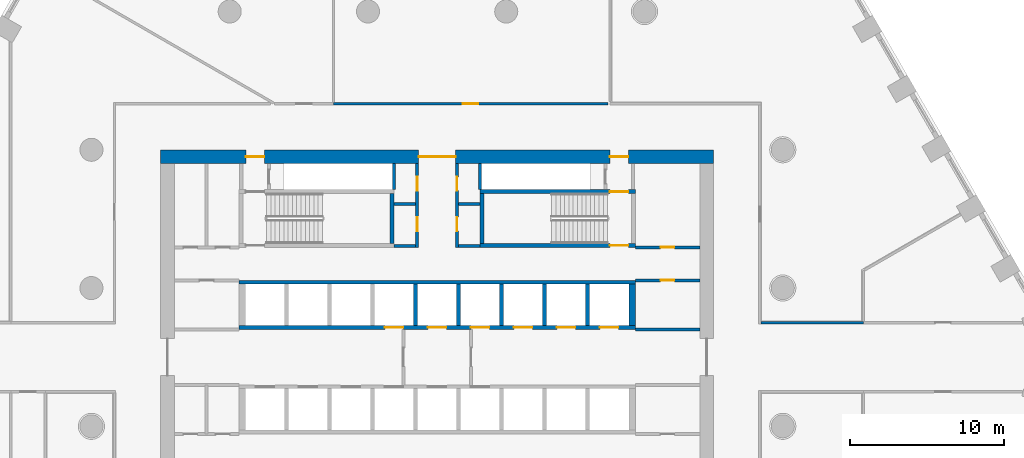
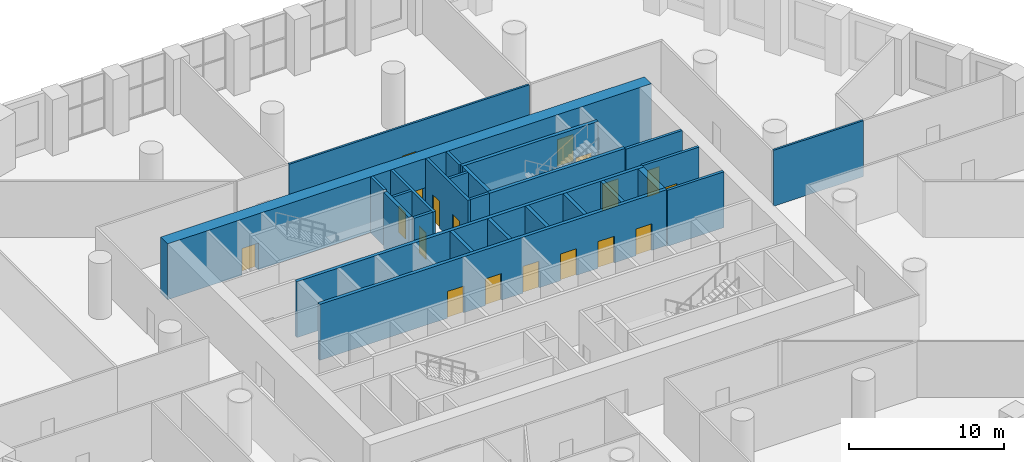
# One storey, part 11 of 21: 26 walls, 18 doors, 18 openings.
"""IFC4 building model written with IfcOpenShell, lengths in metres."""

from ifc_helpers import new_model, si_unit, direction, frame, frame_2d, origin, place, context, subcontext, project, spatial, polyline, rectangle, outline, extrude, material, layer, layer_set, type_object, element, fill, save


model = new_model("IFC4")

# Units and contexts
model_context = context("Model", 3, precision=1e-05, world=origin(), true_north=direction((0.0, 1.0)))
body_context = subcontext(model_context, "Body", "Model", "MODEL_VIEW")
ifc_project = project(units=[si_unit("LENGTHUNIT", "METRE"), si_unit("AREAUNIT", "SQUARE_METRE"), si_unit("VOLUMEUNIT", "CUBIC_METRE"), si_unit("PLANEANGLEUNIT", "RADIAN"), si_unit("MASSUNIT", "GRAM", prefix="KILO")], contexts=[model_context])

# Site, building, storey
site_placement = place(None, origin())
site = spatial("IfcSite", under=ifc_project, at=site_placement, CompositionType="ELEMENT")
building_placement = place(site_placement, origin())
building = spatial("IfcBuilding", under=site, at=building_placement, Name="Dhurran Vertical Campus", CompositionType="ELEMENT")
storey_placement = place(building_placement, frame((0.0, 0.0, 20.39990234375)))
storey = spatial("IfcBuildingStorey", under=building, at=storey_placement, Name="L04", CompositionType="ELEMENT", Elevation=20.39990234375)

# Wall, openings, doors
ifc_material_1 = material(Name="Concrete C60/75", Category="concrete")
ifc_layer_1 = layer(ifc_material_1, 0.89990234375)
ifc_layer_set_1 = layer_set([ifc_layer_1], Name="Concrete C60/75")
wall_type_1 = type_object("IfcWallType", Name="co-CORE-WALL-C0-900", PredefinedType="SHEAR", material=ifc_layer_set_1)
wall_1_placement = place(storey_placement, frame((-18.0, 13.050048828125, 0.0), z_axis=(0.0, 0.0, 1.0), x_axis=(1.0, 0.0, 0.0)))
wall_1 = element("IfcWall", 1, at=wall_1_placement, inside=storey, type_object=wall_type_1, Name="Core wall N L04", PredefinedType="SHEAR", context=body_context, shape_type="SweptSolid", body=[
    extrude(rectangle(XDim=36.0, YDim=0.89990234375, at=frame_2d((18.0, 0.0))), origin(), (0.0, 0.0, 1.0), 4.400146484375),
])
opening_1_placement = place(wall_1_placement, frame((16.800048828125, 0.0, 0.0)))
opening_1 = element("IfcOpeningElement", 2, at=opening_1_placement, cuts=wall_1, Name="Opening CV1", PredefinedType="OPENING", context=body_context, shape_type="SweptSolid", body=[
    extrude(rectangle(XDim=2.39990234375, YDim=2.10009765625, at=frame_2d((1.199951171875, 1.050048828125))), frame((0.0, 0.4599609375, 0.0), z_axis=(0.0, -1.0, 0.0), x_axis=(1.0, 0.0, 0.0)), (0.0, 0.0, 1.0), 0.919921875),
])
opening_2_placement = place(wall_1_placement, frame((5.550048828125, 0.0, 0.0)))
opening_2 = element("IfcOpeningElement", 3, at=opening_2_placement, cuts=wall_1, Name="Opening XD1", PredefinedType="OPENING", context=body_context, shape_type="SweptSolid", body=[
    extrude(rectangle(XDim=1.199951171875, YDim=2.10009765625, at=frame_2d((0.60009765625, 1.050048828125))), frame((0.0, 0.4599609375, 0.0), z_axis=(0.0, -1.0, 0.0), x_axis=(1.0, 0.0, 0.0)), (0.0, 0.0, 1.0), 0.919921875),
])
opening_3_placement = place(wall_1_placement, frame((29.25, 0.0, 0.0)))
opening_3 = element("IfcOpeningElement", 4, at=opening_3_placement, cuts=wall_1, Name="Opening XD2", PredefinedType="OPENING", context=body_context, shape_type="SweptSolid", body=[
    extrude(rectangle(XDim=1.199951171875, YDim=2.10009765625, at=frame_2d((0.60009765625, 1.050048828125))), frame((0.0, 0.4599609375, 0.0), z_axis=(0.0, -1.0, 0.0), x_axis=(1.0, 0.0, 0.0)), (0.0, 0.0, 1.0), 0.919921875),
])
ifc_material_2 = material(Name="Fire-rated glazed door set")
door_type_1 = type_object("IfcDoorType", Name="co-D-LOBBY 2400x2100", OperationType="DOUBLE_DOOR_DOUBLE_SWING", PredefinedType="DOOR", material=ifc_material_2)
door_1_placement = place(opening_1_placement, origin())
door_1 = element("IfcDoor", 5, at=door_1_placement, inside=storey, type_object=door_type_1, Name="Core vestibule door N L04", OperationType="DOUBLE_DOOR_DOUBLE_SWING", OverallHeight=2.10009765625, OverallWidth=2.39990234375, PredefinedType="DOOR", context=body_context, shape_type="SweptSolid", body=[
    extrude(rectangle(XDim=2.39990234375, YDim=2.10009765625, at=frame_2d((1.199951171875, 1.050048828125))), frame((0.0, 0.02490234375, 0.0), z_axis=(0.0, -1.0, 0.0), x_axis=(1.0, 0.0, 0.0)), (0.0, 0.0, 1.0), 0.050048828125),
])
fill(opening_1, door_1)
ifc_material_3 = material(Name="Fire-rated steel door set", Category="steel")
door_type_2 = type_object("IfcDoorType", Name="co-D-STAIR-EXIT 1200x2100", OperationType="SINGLE_SWING_RIGHT", PredefinedType="DOOR", material=ifc_material_3)
door_2_placement = place(opening_2_placement, origin())
door_2 = element("IfcDoor", 6, at=door_2_placement, inside=storey, type_object=door_type_2, Name="Stair ST1 exit door L04", OperationType="SINGLE_SWING_RIGHT", OverallHeight=2.10009765625, OverallWidth=1.199951171875, PredefinedType="DOOR", context=body_context, shape_type="SweptSolid", body=[
    extrude(rectangle(XDim=1.199951171875, YDim=2.10009765625, at=frame_2d((0.60009765625, 1.050048828125))), frame((0.0, 0.02490234375, 0.0), z_axis=(0.0, -1.0, 0.0), x_axis=(1.0, 0.0, 0.0)), (0.0, 0.0, 1.0), 0.050048828125),
])
fill(opening_2, door_2)
door_3_placement = place(opening_3_placement, origin())
door_3 = element("IfcDoor", 7, at=door_3_placement, inside=storey, type_object=door_type_2, Name="Stair ST2 exit door L04", OperationType="SINGLE_SWING_RIGHT", OverallHeight=2.10009765625, OverallWidth=1.199951171875, PredefinedType="DOOR", context=body_context, shape_type="SweptSolid", body=[
    extrude(rectangle(XDim=1.199951171875, YDim=2.10009765625, at=frame_2d((0.60009765625, 1.050048828125))), frame((0.0, 0.02490234375, 0.0), z_axis=(0.0, -1.0, 0.0), x_axis=(1.0, 0.0, 0.0)), (0.0, 0.0, 1.0), 0.050048828125),
])
fill(opening_3, door_3)

# Walls
ifc_material_4 = material(Name="Fire-rated masonry blockwork", Category="masonry")
ifc_layer_2 = layer(ifc_material_4, 0.199951171875)
ifc_layer_set_2 = layer_set([ifc_layer_2], Name="Fire-rated masonry blockwork")
wall_type_2 = type_object("IfcWallType", Name="co-FIRE-PARTITION-200", PredefinedType="PARTITIONING", material=ifc_layer_set_2)
for number, where, z_axis, x_axis, name in (
    (8, (-2.800048828125, 7.25, 0.0), (0.0, 0.0, 1.0), (1.0, 0.0, 0.0), "Core partition sl-NW-S L04"),
    (9, (-2.800048828125, 9.97509765625, 0.0), (0.0, 0.0, 1.0), (1.0, 0.0, 0.0), "Core partition sl-NW-cut0 L04"),
    (10, (1.39990234375, 7.25, 0.0), (0.0, 0.0, 1.0), (1.0, 0.0, 0.0), "Core partition sl-NE-S L04"),
    (11, (1.39990234375, 9.97509765625, 0.0), (0.0, 0.0, 1.0), (1.0, 0.0, 0.0), "Core partition sl-NE-cut0 L04"),
):
    element("IfcWall", number, at=place(storey_placement, frame(where, z_axis=z_axis, x_axis=x_axis)), inside=storey, type_object=wall_type_2, Name=name, PredefinedType="PARTITIONING", context=body_context, shape_type="SweptSolid", body=[
        extrude(rectangle(XDim=1.400146484375, YDim=0.199951171875, at=frame_2d((0.7001953125, 0.0))), origin(), (0.0, 0.0, 1.0), 4.400146484375),
    ])

# Wall, openings, doors
wall_2_placement = place(storey_placement, frame((-1.300048828125, 7.14990234375, 0.0), z_axis=(0.0, 0.0, 1.0), x_axis=(0.0, 1.0, 0.0)))
wall_2 = element("IfcWall", 12, at=wall_2_placement, inside=storey, type_object=wall_type_2, Name="Core partition vest-NW L04", PredefinedType="PARTITIONING", context=body_context, shape_type="SweptSolid", body=[
    extrude(rectangle(XDim=5.4501953125, YDim=0.199951171875, at=frame_2d((2.72509765625, 0.0))), origin(), (0.0, 0.0, 1.0), 4.400146484375),
])
opening_4_placement = place(wall_2_placement, frame((1.0625, 0.0, 0.0)))
opening_4 = element("IfcOpeningElement", 13, at=opening_4_placement, cuts=wall_2, Name="Opening PD04-C5", PredefinedType="OPENING", context=body_context, shape_type="SweptSolid", body=[
    extrude(rectangle(XDim=0.89990234375, YDim=2.10009765625, at=frame_2d((0.449951171875, 1.050048828125))), frame((0.0, 0.10986328125, 0.0), z_axis=(0.0, -1.0, 0.0), x_axis=(1.0, 0.0, 0.0)), (0.0, 0.0, 1.0), 0.219970703125),
])
opening_5_placement = place(wall_2_placement, frame((3.6875, 0.0, 0.0)))
opening_5 = element("IfcOpeningElement", 14, at=opening_5_placement, cuts=wall_2, Name="Opening PD04-C6", PredefinedType="OPENING", context=body_context, shape_type="SweptSolid", body=[
    extrude(rectangle(XDim=0.89990234375, YDim=2.10009765625, at=frame_2d((0.449951171875, 1.050048828125))), frame((0.0, 0.10986328125, 0.0), z_axis=(0.0, -1.0, 0.0), x_axis=(1.0, 0.0, 0.0)), (0.0, 0.0, 1.0), 0.219970703125),
])
ifc_material_5 = material(Name="Fire-rated timber door set", Category="wood")
door_type_3 = type_object("IfcDoorType", Name="co-D-ROOM 900x2100", OperationType="SINGLE_SWING_LEFT", PredefinedType="DOOR", material=ifc_material_5)
door_4_placement = place(opening_4_placement, origin())
door_4 = element("IfcDoor", 15, at=door_4_placement, inside=storey, type_object=door_type_3, Name="Communications room door L04", OperationType="SINGLE_SWING_LEFT", OverallHeight=2.10009765625, OverallWidth=0.89990234375, PredefinedType="DOOR", context=body_context, shape_type="SweptSolid", body=[
    extrude(rectangle(XDim=0.89990234375, YDim=2.10009765625, at=frame_2d((0.449951171875, 1.050048828125))), frame((0.0, 0.02490234375, 0.0), z_axis=(0.0, -1.0, 0.0), x_axis=(1.0, 0.0, 0.0)), (0.0, 0.0, 1.0), 0.050048828125),
])
fill(opening_4, door_4)
door_5_placement = place(opening_5_placement, origin())
door_5 = element("IfcDoor", 16, at=door_5_placement, inside=storey, type_object=door_type_3, Name="Server room door L04", OperationType="SINGLE_SWING_LEFT", OverallHeight=2.10009765625, OverallWidth=0.89990234375, PredefinedType="DOOR", context=body_context, shape_type="SweptSolid", body=[
    extrude(rectangle(XDim=0.89990234375, YDim=2.10009765625, at=frame_2d((0.449951171875, 1.050048828125))), frame((0.0, 0.02490234375, 0.0), z_axis=(0.0, -1.0, 0.0), x_axis=(1.0, 0.0, 0.0)), (0.0, 0.0, 1.0), 0.050048828125),
])
fill(opening_5, door_5)

wall_3_placement = place(storey_placement, frame((1.300048828125, 7.14990234375, 0.0), z_axis=(0.0, 0.0, 1.0), x_axis=(0.0, 1.0, 0.0)))
wall_3 = element("IfcWall", 17, at=wall_3_placement, inside=storey, type_object=wall_type_2, Name="Core partition vest-NE L04", PredefinedType="PARTITIONING", context=body_context, shape_type="SweptSolid", body=[
    extrude(rectangle(XDim=5.4501953125, YDim=0.199951171875, at=frame_2d((2.72509765625, 0.0))), origin(), (0.0, 0.0, 1.0), 4.400146484375),
])
opening_6_placement = place(wall_3_placement, frame((1.0625, 0.0, 0.0)))
opening_6 = element("IfcOpeningElement", 18, at=opening_6_placement, cuts=wall_3, Name="Opening PD04-C7", PredefinedType="OPENING", context=body_context, shape_type="SweptSolid", body=[
    extrude(rectangle(XDim=0.89990234375, YDim=2.10009765625, at=frame_2d((0.449951171875, 1.050048828125))), frame((0.0, 0.10986328125, 0.0), z_axis=(0.0, -1.0, 0.0), x_axis=(1.0, 0.0, 0.0)), (0.0, 0.0, 1.0), 0.219970703125),
])
opening_7_placement = place(wall_3_placement, frame((3.6875, 0.0, 0.0)))
opening_7 = element("IfcOpeningElement", 19, at=opening_7_placement, cuts=wall_3, Name="Opening PD04-C8", PredefinedType="OPENING", context=body_context, shape_type="SweptSolid", body=[
    extrude(rectangle(XDim=0.89990234375, YDim=2.10009765625, at=frame_2d((0.449951171875, 1.050048828125))), frame((0.0, 0.10986328125, 0.0), z_axis=(0.0, -1.0, 0.0), x_axis=(1.0, 0.0, 0.0)), (0.0, 0.0, 1.0), 0.219970703125),
])
door_6_placement = place(opening_6_placement, origin())
door_6 = element("IfcDoor", 20, at=door_6_placement, inside=storey, type_object=door_type_3, Name="Water riser door L04", OperationType="SINGLE_SWING_LEFT", OverallHeight=2.10009765625, OverallWidth=0.89990234375, PredefinedType="DOOR", context=body_context, shape_type="SweptSolid", body=[
    extrude(rectangle(XDim=0.89990234375, YDim=2.10009765625, at=frame_2d((0.449951171875, 1.050048828125))), frame((0.0, 0.02490234375, 0.0), z_axis=(0.0, -1.0, 0.0), x_axis=(1.0, 0.0, 0.0)), (0.0, 0.0, 1.0), 0.050048828125),
])
fill(opening_6, door_6)
door_7_placement = place(opening_7_placement, origin())
door_7 = element("IfcDoor", 21, at=door_7_placement, inside=storey, type_object=door_type_3, Name="Print room door L04", OperationType="SINGLE_SWING_LEFT", OverallHeight=2.10009765625, OverallWidth=0.89990234375, PredefinedType="DOOR", context=body_context, shape_type="SweptSolid", body=[
    extrude(rectangle(XDim=0.89990234375, YDim=2.10009765625, at=frame_2d((0.449951171875, 1.050048828125))), frame((0.0, 0.02490234375, 0.0), z_axis=(0.0, -1.0, 0.0), x_axis=(1.0, 0.0, 0.0)), (0.0, 0.0, 1.0), 0.050048828125),
])
fill(opening_7, door_7)

# Wall, opening, door
wall_4_placement = place(storey_placement, frame((12.89990234375, 7.14990234375, 0.0), z_axis=(0.0, 0.0, 1.0), x_axis=(1.0, 0.0, 0.0)))
wall_4 = element("IfcWall", 22, at=wall_4_placement, inside=storey, type_object=wall_type_2, Name="Core partition en-NE-w L04", PredefinedType="PARTITIONING", context=body_context, shape_type="SweptSolid", body=[
    extrude(rectangle(XDim=4.2001953125, YDim=0.199951171875, at=frame_2d((2.10009765625, 0.0))), origin(), (0.0, 0.0, 1.0), 4.400146484375),
])
opening_8_placement = place(wall_4_placement, frame((1.64990234375, 0.0, 0.0)))
opening_8 = element("IfcOpeningElement", 23, at=opening_8_placement, cuts=wall_4, Name="Opening PD04-C16", PredefinedType="OPENING", context=body_context, shape_type="SweptSolid", body=[
    extrude(rectangle(XDim=0.89990234375, YDim=2.10009765625, at=frame_2d((0.449951171875, 1.050048828125))), frame((0.0, 0.10986328125, 0.0), z_axis=(0.0, -1.0, 0.0), x_axis=(1.0, 0.0, 0.0)), (0.0, 0.0, 1.0), 0.219970703125),
])
door_8_placement = place(opening_8_placement, origin())
door_8 = element("IfcDoor", 24, at=door_8_placement, inside=storey, type_object=door_type_3, Name="Fire equipment store door L04", OperationType="SINGLE_SWING_LEFT", OverallHeight=2.10009765625, OverallWidth=0.89990234375, PredefinedType="DOOR", context=body_context, shape_type="SweptSolid", body=[
    extrude(rectangle(XDim=0.89990234375, YDim=2.10009765625, at=frame_2d((0.449951171875, 1.050048828125))), frame((0.0, 0.02490234375, 0.0), z_axis=(0.0, -1.0, 0.0), x_axis=(1.0, 0.0, 0.0)), (0.0, 0.0, 1.0), 0.050048828125),
])
fill(opening_8, door_8)

wall_5_placement = place(storey_placement, frame((12.89990234375, 5.0, 0.0), z_axis=(0.0, 0.0, 1.0), x_axis=(1.0, 0.0, 0.0)))
wall_5 = element("IfcWall", 25, at=wall_5_placement, inside=storey, type_object=wall_type_2, Name="Core partition es-NE-w L04", PredefinedType="PARTITIONING", context=body_context, shape_type="SweptSolid", body=[
    extrude(rectangle(XDim=4.2001953125, YDim=0.199951171875, at=frame_2d((2.10009765625, 0.0))), origin(), (0.0, 0.0, 1.0), 4.400146484375),
])
opening_9_placement = place(wall_5_placement, frame((1.64990234375, 0.0, 0.0)))
opening_9 = element("IfcOpeningElement", 26, at=opening_9_placement, cuts=wall_5, Name="Opening PD04-C17", PredefinedType="OPENING", context=body_context, shape_type="SweptSolid", body=[
    extrude(rectangle(XDim=0.89990234375, YDim=2.10009765625, at=frame_2d((0.449951171875, 1.050048828125))), frame((0.0, 0.10986328125, 0.0), z_axis=(0.0, -1.0, 0.0), x_axis=(1.0, 0.0, 0.0)), (0.0, 0.0, 1.0), 0.219970703125),
])
door_9_placement = place(opening_9_placement, origin())
door_9 = element("IfcDoor", 27, at=door_9_placement, inside=storey, type_object=door_type_3, Name="Communications room door L04", OperationType="SINGLE_SWING_LEFT", OverallHeight=2.10009765625, OverallWidth=0.89990234375, PredefinedType="DOOR", context=body_context, shape_type="SweptSolid", body=[
    extrude(rectangle(XDim=0.89990234375, YDim=2.10009765625, at=frame_2d((0.449951171875, 1.050048828125))), frame((0.0, 0.02490234375, 0.0), z_axis=(0.0, -1.0, 0.0), x_axis=(1.0, 0.0, 0.0)), (0.0, 0.0, 1.0), 0.050048828125),
])
fill(opening_9, door_9)

# Walls
wall_6_placement = place(storey_placement, frame((12.89990234375, 1.800048828125, 0.0), z_axis=(0.0, 0.0, 1.0), x_axis=(1.0, 0.0, 0.0)))
element("IfcWall", 28, at=wall_6_placement, inside=storey, type_object=wall_type_2, Name="Core partition es-NE-l L04", PredefinedType="PARTITIONING", context=body_context, shape_type="SweptSolid", body=[
    extrude(rectangle(XDim=4.2001953125, YDim=0.199951171875, at=frame_2d((2.10009765625, 0.0))), origin(), (0.0, 0.0, 1.0), 4.400146484375),
])
for number, where, z_axis, x_axis, name in (
    (29, (-2.800048828125, 10.90087890625, 0.0), (0.0, 0.0, 1.0), (0.0, 1.0, 0.0), "Riser enclosure wall L04"),
    (30, (2.800048828125, 12.59912109375, 0.0), (0.0, 0.0, 1.0), (0.0, -1.0, 0.0), "Riser enclosure wall L04"),
):
    element("IfcWall", number, at=place(storey_placement, frame(where, z_axis=z_axis, x_axis=x_axis)), inside=storey, type_object=wall_type_2, Name=name, PredefinedType="PARTITIONING", context=body_context, shape_type="SweptSolid", body=[
        extrude(rectangle(XDim=1.6982421875, YDim=0.199951171875, at=frame_2d((0.84912109375, 0.0))), origin(), (0.0, 0.0, 1.0), 4.400146484375),
    ])

# Wall, openings, doors
ifc_material_6 = material(Name="Concrete C50/60", Category="concrete")
ifc_layer_3 = layer(ifc_material_6, 0.25)
ifc_layer_set_3 = layer_set([ifc_layer_3], Name="Concrete C50/60")
wall_type_3 = type_object("IfcWallType", Name="co-SHAFT-FRONT-250", PredefinedType="SHEAR", material=ifc_layer_set_3)
wall_7_placement = place(storey_placement, frame((-12.89990234375, 1.925048828125, 0.0), z_axis=(0.0, 0.0, 1.0), x_axis=(1.0, 0.0, 0.0)))
wall_7 = element("IfcWall", 31, at=wall_7_placement, inside=storey, type_object=wall_type_3, Name="Lift landing wall N L04", PredefinedType="SHEAR", context=body_context, shape_type="SweptSolid", body=[
    extrude(rectangle(XDim=25.7998046875, YDim=0.25, at=frame_2d((12.89990234375, 0.0))), origin(), (0.0, 0.0, 1.0), 4.400146484375),
])
opening_10_placement = place(wall_7_placement, frame((9.5, 0.0, 0.0)))
opening_10 = element("IfcOpeningElement", 32, at=opening_10_placement, cuts=wall_7, Name="Opening LD", PredefinedType="OPENING", context=body_context, shape_type="SweptSolid", body=[
    extrude(rectangle(XDim=1.199951171875, YDim=2.10009765625, at=frame_2d((0.60009765625, 1.050048828125))), frame((0.0, 0.135009765625, 0.0), z_axis=(0.0, -1.0, 0.0), x_axis=(1.0, 0.0, 0.0)), (0.0, 0.0, 1.0), 0.27001953125),
])
opening_11_placement = place(wall_7_placement, frame((12.300048828125, 0.0, 0.0)))
opening_11 = element("IfcOpeningElement", 33, at=opening_11_placement, cuts=wall_7, Name="Opening LD", PredefinedType="OPENING", context=body_context, shape_type="SweptSolid", body=[
    extrude(rectangle(XDim=1.199951171875, YDim=2.10009765625, at=frame_2d((0.60009765625, 1.050048828125))), frame((0.0, 0.135009765625, 0.0), z_axis=(0.0, -1.0, 0.0), x_axis=(1.0, 0.0, 0.0)), (0.0, 0.0, 1.0), 0.27001953125),
])
opening_12_placement = place(wall_7_placement, frame((15.10009765625, 0.0, 0.0)))
opening_12 = element("IfcOpeningElement", 34, at=opening_12_placement, cuts=wall_7, Name="Opening LD", PredefinedType="OPENING", context=body_context, shape_type="SweptSolid", body=[
    extrude(rectangle(XDim=1.199951171875, YDim=2.10009765625, at=frame_2d((0.60009765625, 1.050048828125))), frame((0.0, 0.135009765625, 0.0), z_axis=(0.0, -1.0, 0.0), x_axis=(1.0, 0.0, 0.0)), (0.0, 0.0, 1.0), 0.27001953125),
])
opening_13_placement = place(wall_7_placement, frame((17.89990234375, 0.0, 0.0)))
opening_13 = element("IfcOpeningElement", 35, at=opening_13_placement, cuts=wall_7, Name="Opening LD", PredefinedType="OPENING", context=body_context, shape_type="SweptSolid", body=[
    extrude(rectangle(XDim=1.199951171875, YDim=2.10009765625, at=frame_2d((0.60009765625, 1.050048828125))), frame((0.0, 0.135009765625, 0.0), z_axis=(0.0, -1.0, 0.0), x_axis=(1.0, 0.0, 0.0)), (0.0, 0.0, 1.0), 0.27001953125),
])
opening_14_placement = place(wall_7_placement, frame((20.699951171875, 0.0, 0.0)))
opening_14 = element("IfcOpeningElement", 36, at=opening_14_placement, cuts=wall_7, Name="Opening LD", PredefinedType="OPENING", context=body_context, shape_type="SweptSolid", body=[
    extrude(rectangle(XDim=1.199951171875, YDim=2.10009765625, at=frame_2d((0.60009765625, 1.050048828125))), frame((0.0, 0.135009765625, 0.0), z_axis=(0.0, -1.0, 0.0), x_axis=(1.0, 0.0, 0.0)), (0.0, 0.0, 1.0), 0.27001953125),
])
opening_15_placement = place(wall_7_placement, frame((23.5, 0.0, 0.0)))
opening_15 = element("IfcOpeningElement", 37, at=opening_15_placement, cuts=wall_7, Name="Opening LD", PredefinedType="OPENING", context=body_context, shape_type="SweptSolid", body=[
    extrude(rectangle(XDim=1.199951171875, YDim=2.10009765625, at=frame_2d((0.60009765625, 1.050048828125))), frame((0.0, 0.135009765625, 0.0), z_axis=(0.0, -1.0, 0.0), x_axis=(1.0, 0.0, 0.0)), (0.0, 0.0, 1.0), 0.27001953125),
])
ifc_material_7 = material(Name="Stainless steel landing door", Category="steel")
door_type_4 = type_object("IfcDoorType", Name="co-D-LANDING 1200x2100", OperationType="DOUBLE_DOOR_SLIDING", PredefinedType="DOOR", material=ifc_material_7)
door_10_placement = place(opening_10_placement, origin())
door_10 = element("IfcDoor", 38, at=door_10_placement, inside=storey, type_object=door_type_4, Name="Landing door LR1 L04", OperationType="DOUBLE_DOOR_SLIDING", OverallHeight=2.10009765625, OverallWidth=1.199951171875, PredefinedType="DOOR", context=body_context, shape_type="SweptSolid", body=[
    extrude(rectangle(XDim=1.199951171875, YDim=2.10009765625, at=frame_2d((0.60009765625, 1.050048828125))), frame((0.0, 0.02490234375, 0.0), z_axis=(0.0, -1.0, 0.0), x_axis=(1.0, 0.0, 0.0)), (0.0, 0.0, 1.0), 0.050048828125),
])
fill(opening_10, door_10)
door_11_placement = place(opening_11_placement, origin())
door_11 = element("IfcDoor", 39, at=door_11_placement, inside=storey, type_object=door_type_4, Name="Landing door FF1 L04", OperationType="DOUBLE_DOOR_SLIDING", OverallHeight=2.10009765625, OverallWidth=1.199951171875, PredefinedType="DOOR", context=body_context, shape_type="SweptSolid", body=[
    extrude(rectangle(XDim=1.199951171875, YDim=2.10009765625, at=frame_2d((0.60009765625, 1.050048828125))), frame((0.0, 0.02490234375, 0.0), z_axis=(0.0, -1.0, 0.0), x_axis=(1.0, 0.0, 0.0)), (0.0, 0.0, 1.0), 0.050048828125),
])
fill(opening_11, door_11)
door_12_placement = place(opening_12_placement, origin())
door_12 = element("IfcDoor", 40, at=door_12_placement, inside=storey, type_object=door_type_4, Name="Landing door LR2 L04", OperationType="DOUBLE_DOOR_SLIDING", OverallHeight=2.10009765625, OverallWidth=1.199951171875, PredefinedType="DOOR", context=body_context, shape_type="SweptSolid", body=[
    extrude(rectangle(XDim=1.199951171875, YDim=2.10009765625, at=frame_2d((0.60009765625, 1.050048828125))), frame((0.0, 0.02490234375, 0.0), z_axis=(0.0, -1.0, 0.0), x_axis=(1.0, 0.0, 0.0)), (0.0, 0.0, 1.0), 0.050048828125),
])
fill(opening_12, door_12)
door_13_placement = place(opening_13_placement, origin())
door_13 = element("IfcDoor", 41, at=door_13_placement, inside=storey, type_object=door_type_4, Name="Landing door LR3 L04", OperationType="DOUBLE_DOOR_SLIDING", OverallHeight=2.10009765625, OverallWidth=1.199951171875, PredefinedType="DOOR", context=body_context, shape_type="SweptSolid", body=[
    extrude(rectangle(XDim=1.199951171875, YDim=2.10009765625, at=frame_2d((0.60009765625, 1.050048828125))), frame((0.0, 0.02490234375, 0.0), z_axis=(0.0, -1.0, 0.0), x_axis=(1.0, 0.0, 0.0)), (0.0, 0.0, 1.0), 0.050048828125),
])
fill(opening_13, door_13)
door_14_placement = place(opening_14_placement, origin())
door_14 = element("IfcDoor", 42, at=door_14_placement, inside=storey, type_object=door_type_4, Name="Landing door LR4 L04", OperationType="DOUBLE_DOOR_SLIDING", OverallHeight=2.10009765625, OverallWidth=1.199951171875, PredefinedType="DOOR", context=body_context, shape_type="SweptSolid", body=[
    extrude(rectangle(XDim=1.199951171875, YDim=2.10009765625, at=frame_2d((0.60009765625, 1.050048828125))), frame((0.0, 0.02490234375, 0.0), z_axis=(0.0, -1.0, 0.0), x_axis=(1.0, 0.0, 0.0)), (0.0, 0.0, 1.0), 0.050048828125),
])
fill(opening_14, door_14)
door_15_placement = place(opening_15_placement, origin())
door_15 = element("IfcDoor", 43, at=door_15_placement, inside=storey, type_object=door_type_4, Name="Landing door SV2 L04", OperationType="DOUBLE_DOOR_SLIDING", OverallHeight=2.10009765625, OverallWidth=1.199951171875, PredefinedType="DOOR", context=body_context, shape_type="SweptSolid", body=[
    extrude(rectangle(XDim=1.199951171875, YDim=2.10009765625, at=frame_2d((0.60009765625, 1.050048828125))), frame((0.0, 0.02490234375, 0.0), z_axis=(0.0, -1.0, 0.0), x_axis=(1.0, 0.0, 0.0)), (0.0, 0.0, 1.0), 0.050048828125),
])
fill(opening_15, door_15)

# Walls
ifc_material_8 = material(Name="Concrete C50/60", Category="concrete")
ifc_layer_4 = layer(ifc_material_8, 0.25)
ifc_layer_set_4 = layer_set([ifc_layer_4], Name="Concrete C50/60")
wall_type_4 = type_object("IfcWallType", Name="co-SHAFT-MASS-250", PredefinedType="SHEAR", material=ifc_layer_set_4)
wall_8_placement = place(storey_placement, origin())
element("IfcWall", 44, at=wall_8_placement, inside=storey, type_object=wall_type_4, Name="Lift shaft wall N L04 1", PredefinedType="SHEAR", context=body_context, shape_type="SweptSolid", body=[
    extrude(outline(polyline([(-12.89990234375, 4.75), (12.89990234375, 4.75), (12.89990234375, 5.0), (-12.89990234375, 5.0), (-12.89990234375, 4.75)])), origin(), (0.0, 0.0, 1.0), 4.400146484375),
])
wall_9_placement = place(storey_placement, origin())
element("IfcWall", 45, at=wall_9_placement, inside=storey, type_object=wall_type_4, Name="Lift shaft wall N L04 6", PredefinedType="SHEAR", context=body_context, shape_type="SweptSolid", body=[
    extrude(outline(polyline([(-1.52490234375, 2.050048828125), (-1.27490234375, 2.050048828125), (-1.27490234375, 4.75), (-1.52490234375, 4.75), (-1.52490234375, 2.050048828125)])), origin(), (0.0, 0.0, 1.0), 4.400146484375),
])
wall_10_placement = place(storey_placement, origin())
element("IfcWall", 46, at=wall_10_placement, inside=storey, type_object=wall_type_4, Name="Lift shaft wall N L04 7", PredefinedType="SHEAR", context=body_context, shape_type="SweptSolid", body=[
    extrude(outline(polyline([(1.27490234375, 2.050048828125), (1.52490234375, 2.050048828125), (1.52490234375, 4.75), (1.27490234375, 4.75), (1.27490234375, 2.050048828125)])), origin(), (0.0, 0.0, 1.0), 4.400146484375),
])
wall_11_placement = place(storey_placement, origin())
element("IfcWall", 47, at=wall_11_placement, inside=storey, type_object=wall_type_4, Name="Lift shaft wall N L04 8", PredefinedType="SHEAR", context=body_context, shape_type="SweptSolid", body=[
    extrude(outline(polyline([(4.074951171875, 2.050048828125), (4.324951171875, 2.050048828125), (4.324951171875, 4.75), (4.074951171875, 4.75), (4.074951171875, 2.050048828125)])), origin(), (0.0, 0.0, 1.0), 4.400146484375),
])
wall_12_placement = place(storey_placement, origin())
element("IfcWall", 48, at=wall_12_placement, inside=storey, type_object=wall_type_4, Name="Lift shaft wall N L04 9", PredefinedType="SHEAR", context=body_context, shape_type="SweptSolid", body=[
    extrude(outline(polyline([(6.875, 2.050048828125), (7.125, 2.050048828125), (7.125, 4.75), (6.875, 4.75), (6.875, 2.050048828125)])), origin(), (0.0, 0.0, 1.0), 4.400146484375),
])
wall_13_placement = place(storey_placement, origin())
element("IfcWall", 49, at=wall_13_placement, inside=storey, type_object=wall_type_4, Name="Lift shaft wall N L04 10", PredefinedType="SHEAR", context=body_context, shape_type="SweptSolid", body=[
    extrude(outline(polyline([(9.675048828125, 2.050048828125), (9.925048828125, 2.050048828125), (9.925048828125, 4.75), (9.675048828125, 4.75), (9.675048828125, 2.050048828125)])), origin(), (0.0, 0.0, 1.0), 4.400146484375),
])
wall_14_placement = place(storey_placement, origin())
element("IfcWall", 50, at=wall_14_placement, inside=storey, type_object=wall_type_4, Name="Lift shaft wall N L04 11", PredefinedType="SHEAR", context=body_context, shape_type="SweptSolid", body=[
    extrude(outline(polyline([(12.47509765625, 2.050048828125), (12.89990234375, 2.050048828125), (12.89990234375, 4.75), (12.47509765625, 4.75), (12.47509765625, 2.050048828125)])), origin(), (0.0, 0.0, 1.0), 4.400146484375),
])
ifc_material_9 = material(Name="Concrete C40/50", Category="concrete")
ifc_layer_5 = layer(ifc_material_9, 0.25)
ifc_layer_set_5 = layer_set([ifc_layer_5], Name="Concrete C40/50")
wall_type_5 = type_object("IfcWallType", Name="co-STAIR-WALL-250", PredefinedType="SHEAR", material=ifc_layer_set_5)
wall_15_placement = place(storey_placement, frame((-2.925048828125, 7.39990234375, 0.0), z_axis=(0.0, 0.0, 1.0), x_axis=(0.0, 1.0, 0.0)))
element("IfcWall", 51, at=wall_15_placement, inside=storey, type_object=wall_type_5, Name="Stair ST1 enclosure wall L04", PredefinedType="SHEAR", context=body_context, shape_type="SweptSolid", body=[
    extrude(rectangle(XDim=3.25, YDim=0.25, at=frame_2d((1.625, 0.0))), origin(), (0.0, 0.0, 1.0), 4.400146484375),
])

# Wall, opening, door
wall_16_placement = place(storey_placement, frame((2.800048828125, 7.27490234375, 0.0), z_axis=(0.0, 0.0, 1.0), x_axis=(1.0, 0.0, 0.0)))
wall_16 = element("IfcWall", 52, at=wall_16_placement, inside=storey, type_object=wall_type_5, Name="Stair ST2 enclosure wall L04", PredefinedType="SHEAR", context=body_context, shape_type="SweptSolid", body=[
    extrude(rectangle(XDim=10.099853515625, YDim=0.25, at=frame_2d((5.0498046875, 0.0))), origin(), (0.0, 0.0, 1.0), 4.400146484375),
])
opening_16_placement = place(wall_16_placement, frame((8.449951171875, 0.0, 0.0)))
opening_16 = element("IfcOpeningElement", 53, at=opening_16_placement, cuts=wall_16, Name="Opening SD2", PredefinedType="OPENING", context=body_context, shape_type="SweptSolid", body=[
    extrude(rectangle(XDim=1.199951171875, YDim=2.10009765625, at=frame_2d((0.60009765625, 1.050048828125))), frame((0.0, 0.135009765625, 0.0), z_axis=(0.0, -1.0, 0.0), x_axis=(1.0, 0.0, 0.0)), (0.0, 0.0, 1.0), 0.27001953125),
])
ifc_material_10 = material(Name="Fire-rated steel door set", Category="steel")
door_type_5 = type_object("IfcDoorType", Name="co-D-STAIR 1200x2100", OperationType="SINGLE_SWING_LEFT", PredefinedType="DOOR", material=ifc_material_10)
door_16_placement = place(opening_16_placement, origin())
door_16 = element("IfcDoor", 54, at=door_16_placement, inside=storey, type_object=door_type_5, Name="Stair ST2 door L04", OperationType="SINGLE_SWING_LEFT", OverallHeight=2.10009765625, OverallWidth=1.199951171875, PredefinedType="DOOR", context=body_context, shape_type="SweptSolid", body=[
    extrude(rectangle(XDim=1.199951171875, YDim=2.10009765625, at=frame_2d((0.60009765625, 1.050048828125))), frame((0.0, 0.02490234375, 0.0), z_axis=(0.0, -1.0, 0.0), x_axis=(1.0, 0.0, 0.0)), (0.0, 0.0, 1.0), 0.050048828125),
])
fill(opening_16, door_16)

wall_17_placement = place(storey_placement, frame((2.800048828125, 10.77490234375, 0.0), z_axis=(0.0, 0.0, 1.0), x_axis=(1.0, 0.0, 0.0)))
wall_17 = element("IfcWall", 55, at=wall_17_placement, inside=storey, type_object=wall_type_5, Name="Stair ST2 enclosure wall L04", PredefinedType="SHEAR", context=body_context, shape_type="SweptSolid", body=[
    extrude(rectangle(XDim=10.099853515625, YDim=0.25, at=frame_2d((5.0498046875, 0.0))), origin(), (0.0, 0.0, 1.0), 4.400146484375),
])
opening_17_placement = place(wall_17_placement, frame((8.449951171875, 0.0, 0.0)))
opening_17 = element("IfcOpeningElement", 56, at=opening_17_placement, cuts=wall_17, Name="Opening XS2", PredefinedType="OPENING", context=body_context, shape_type="SweptSolid", body=[
    extrude(rectangle(XDim=1.199951171875, YDim=2.10009765625, at=frame_2d((0.60009765625, 1.050048828125))), frame((0.0, 0.135009765625, 0.0), z_axis=(0.0, -1.0, 0.0), x_axis=(1.0, 0.0, 0.0)), (0.0, 0.0, 1.0), 0.27001953125),
])
door_17_placement = place(opening_17_placement, origin())
door_17 = element("IfcDoor", 57, at=door_17_placement, inside=storey, type_object=door_type_2, Name="Stair ST2 discharge door L04", OperationType="SINGLE_SWING_RIGHT", OverallHeight=2.10009765625, OverallWidth=1.199951171875, PredefinedType="DOOR", context=body_context, shape_type="SweptSolid", body=[
    extrude(rectangle(XDim=1.199951171875, YDim=2.10009765625, at=frame_2d((0.60009765625, 1.050048828125))), frame((0.0, 0.02490234375, 0.0), z_axis=(0.0, -1.0, 0.0), x_axis=(1.0, 0.0, 0.0)), (0.0, 0.0, 1.0), 0.050048828125),
])
fill(opening_17, door_17)

# Wall
wall_18_placement = place(storey_placement, frame((2.925048828125, 7.39990234375, 0.0), z_axis=(0.0, 0.0, 1.0), x_axis=(0.0, 1.0, 0.0)))
element("IfcWall", 58, at=wall_18_placement, inside=storey, type_object=wall_type_5, Name="Stair ST2 enclosure wall L04", PredefinedType="SHEAR", context=body_context, shape_type="SweptSolid", body=[
    extrude(rectangle(XDim=3.25, YDim=0.25, at=frame_2d((1.625, 0.0))), origin(), (0.0, 0.0, 1.0), 4.400146484375),
])

# Wall, opening, door
ifc_material_11 = material(Name="Gypsum board corridor wall on steel studs", Category="steel")
ifc_layer_6 = layer(ifc_material_11, 0.14990234375)
ifc_layer_set_6 = layer_set([ifc_layer_6], Name="Gypsum board corridor wall on steel studs")
wall_type_6 = type_object("IfcWallType", Name="fl-CW-150 corridor wall", PredefinedType="PARTITIONING", material=ifc_layer_set_6)
wall_19_placement = place(storey_placement, frame((11.116943359375, 16.5, 0.0), z_axis=(0.0, 0.0, 1.0), x_axis=(-1.0, 0.0, 0.0)))
wall_19 = element("IfcWall", 59, at=wall_19_placement, inside=storey, type_object=wall_type_6, Name="Partition 04-22", PredefinedType="PARTITIONING", context=body_context, shape_type="SweptSolid", body=[
    extrude(rectangle(XDim=17.866943359375, YDim=0.14990234375, at=frame_2d((8.93359375, 0.0))), origin(), (0.0, 0.0, 1.0), 4.400146484375),
])
opening_18_placement = place(wall_19_placement, frame((8.43359375, 0.0, 0.0)))
opening_18 = element("IfcOpeningElement", 60, at=opening_18_placement, cuts=wall_19, Name="Opening PD04.09", PredefinedType="OPENING", context=body_context, shape_type="SweptSolid", body=[
    extrude(rectangle(XDim=1.0, YDim=2.10009765625, at=frame_2d((0.5, 1.050048828125))), frame((0.0, 0.0849609375, 0.0), z_axis=(0.0, -1.0, 0.0), x_axis=(1.0, 0.0, 0.0)), (0.0, 0.0, 1.0), 0.169921875),
])
ifc_material_12 = material(Name="Solid-core timber door set, fire-rated", Category="wood")
door_type_6 = type_object("IfcDoorType", Name="fl-D-1000x2100", OperationType="SINGLE_SWING_LEFT", PredefinedType="DOOR", material=ifc_material_12)
door_18_placement = place(opening_18_placement, origin())
door_18 = element("IfcDoor", 61, at=door_18_placement, inside=storey, type_object=door_type_6, Name="Door 04.09", OperationType="SINGLE_SWING_LEFT", OverallHeight=2.10009765625, OverallWidth=1.0, PredefinedType="DOOR", context=body_context, shape_type="SweptSolid", body=[
    extrude(rectangle(XDim=1.0, YDim=2.10009765625, at=frame_2d((0.5, 1.050048828125))), frame((0.0, 0.02490234375, 0.0), z_axis=(0.0, -1.0, 0.0), x_axis=(1.0, 0.0, 0.0)), (0.0, 0.0, 1.0), 0.050048828125),
])
fill(opening_18, door_18)

# Wall
wall_20_placement = place(storey_placement, frame((21.074951171875, 2.25, 0.0), z_axis=(0.0, 0.0, 1.0), x_axis=(1.0, 0.0, 0.0)))
element("IfcWall", 62, at=wall_20_placement, inside=storey, type_object=wall_type_6, Name="Partition 04-37", PredefinedType="PARTITIONING", context=body_context, shape_type="SweptSolid", body=[
    extrude(rectangle(XDim=6.675048828125, YDim=0.14990234375, at=frame_2d((3.33740234375, 0.0))), origin(), (0.0, 0.0, 1.0), 4.400146484375),
])

save(model, "model.ifc")
